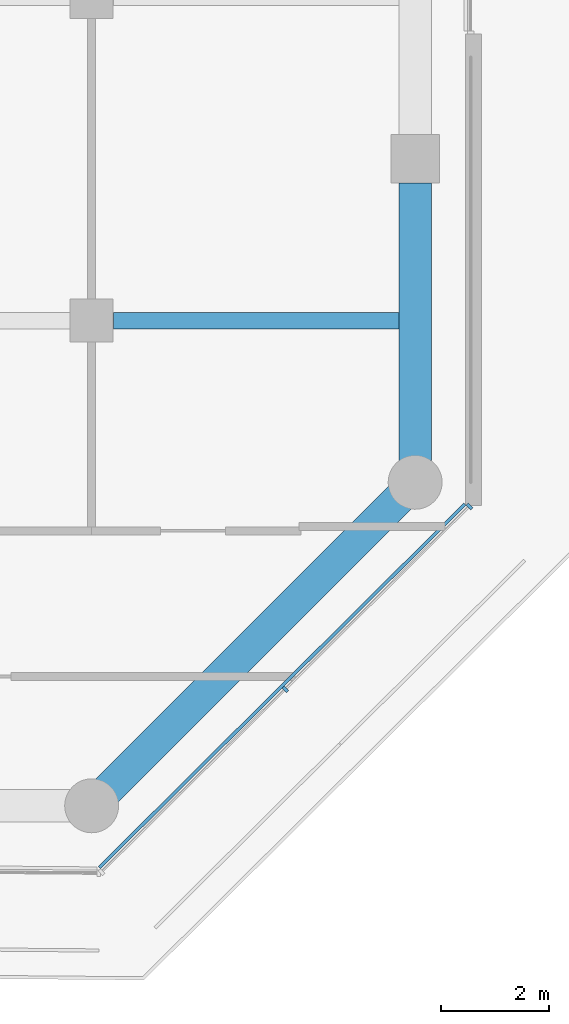
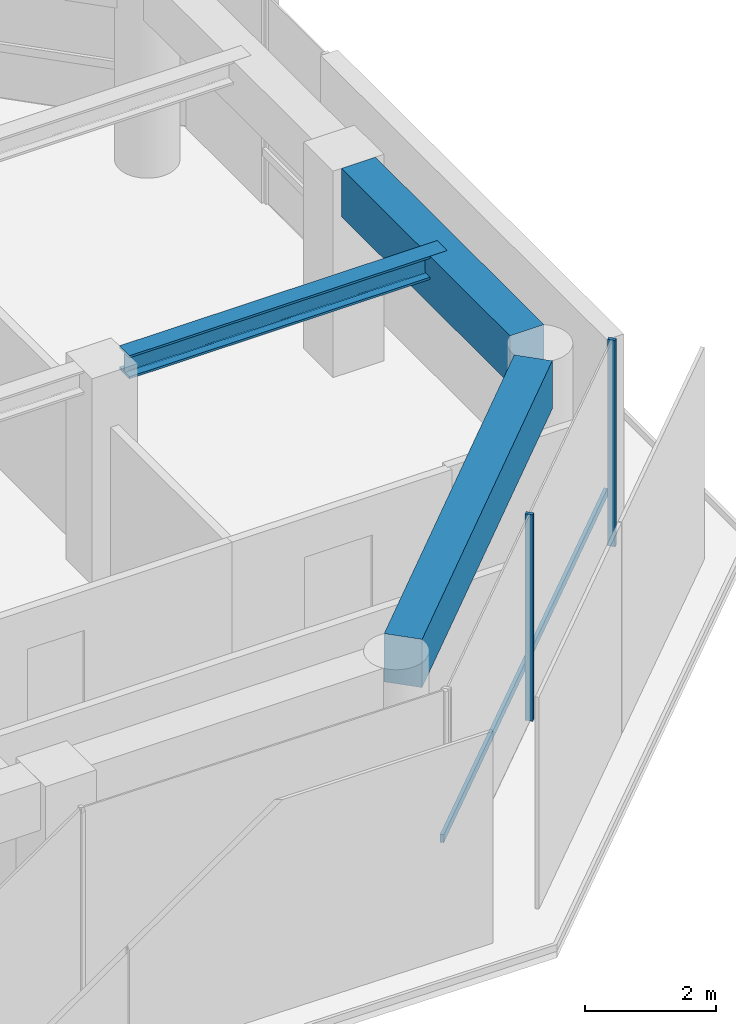
# One storey, part 7 of 23: 3 beams, 3 members, 1 element without a shape of its own.
"""IFC4 building model written with IfcOpenShell, lengths in metres."""

import ifcopenshell
import ifcopenshell.guid

model = None  # the IFC model being written
_history = None  # IfcOwnerHistory: only IFC2X3 demands one
_inside = {}  # id of a spatial element -> (the spatial element, [elements in it])
_under = {}  # id of a project, library or spatial element -> (it, [spatial elements below it])
_declared = {}  # id of a project -> (the project, [libraries it declares])
_typed = {}  # id of a type object -> (the type object, [elements of that type])
_made_of = {}  # id of a material, layer set ... -> (it, [elements and type objects made of it])


def new_model(schema):
    """Start an empty IFC model of exactly this schema.

    Asked for "IFC4X3", IfcOpenShell would pick the latest addendum, in which some entities
    have other attributes; the version numbers below select the first issue.
    IFC2X3 requires an IfcOwnerHistory on every rooted entity: one is made here for all.
    """
    global model, _history
    if schema == "IFC4X3":
        model = ifcopenshell.file(schema_version=(4, 3, 0, 0))
    else:
        model = ifcopenshell.file(schema=schema)
    _inside.clear()
    _under.clear()
    _declared.clear()
    _typed.clear()
    _made_of.clear()
    _history = None
    if model.schema == "IFC2X3":
        org = make("IfcOrganization", Name="unknown")
        user = make(
            "IfcPersonAndOrganization",
            ThePerson=make("IfcPerson", FamilyName="unknown"),
            TheOrganization=org,
        )
        app = make(
            "IfcApplication",
            ApplicationDeveloper=org,
            Version="unknown",
            ApplicationFullName="unknown",
            ApplicationIdentifier="unknown",
        )
        _history = make(
            "IfcOwnerHistory",
            OwningUser=user,
            OwningApplication=app,
            ChangeAction="ADDED",
            CreationDate=0,
        )
    return model


def make(cls, **values):
    """One entity of the class cls with the attributes given. An attribute that is None is left unset."""
    return model.create_entity(
        cls, **{name: value for name, value in values.items() if value is not None}
    )


def rooted(cls, **values):
    """An entity with a GlobalId (a new one), such as an element, a storey or a relation."""
    return make(cls, GlobalId=ifcopenshell.guid.new(), OwnerHistory=_history, **values)


def si_unit(unit_type, name, prefix=None):
    """IfcSIUnit, for example si_unit("LENGTHUNIT", "METRE", prefix="MILLI")."""
    return make("IfcSIUnit", UnitType=unit_type, Prefix=prefix, Name=name)


def assignment(units):
    """IfcUnitAssignment: the units of a project."""
    return None if units is None else make("IfcUnitAssignment", Units=units)


def point(xyz):
    """IfcCartesianPoint."""
    return None if xyz is None else make("IfcCartesianPoint", Coordinates=xyz)


def direction(xyz):
    """IfcDirection."""
    return None if xyz is None else make("IfcDirection", DirectionRatios=xyz)


def frame(location, z_axis=None, x_axis=None):
    """IfcAxis2Placement3D, a coordinate frame: its origin and axes. An axis left out is left unset."""
    return make(
        "IfcAxis2Placement3D",
        Location=point(location),
        Axis=direction(z_axis),
        RefDirection=direction(x_axis),
    )


def frame_2d(location, x_axis=None):
    """IfcAxis2Placement2D, a coordinate frame in the plane: its origin and x axis."""
    return make(
        "IfcAxis2Placement2D", Location=point(location), RefDirection=direction(x_axis)
    )


def origin():
    """The frame at (0, 0, 0) with its axes left unset."""
    return frame((0.0, 0.0, 0.0))


def origin_2d():
    """The frame at (0, 0) in the plane with its x axis left unset."""
    return frame_2d((0.0, 0.0))


def place(relative_to, where):
    """IfcLocalPlacement: puts the frame where relative to a parent placement (None: the world)."""
    return make(
        "IfcLocalPlacement", PlacementRelTo=relative_to, RelativePlacement=where
    )


def context(
    kind, dimensions, precision=None, world=None, true_north=None, identifier=None
):
    """IfcGeometricRepresentationContext, for example the 3D "Model" context."""
    return make(
        "IfcGeometricRepresentationContext",
        ContextIdentifier=identifier,
        ContextType=kind,
        CoordinateSpaceDimension=dimensions,
        Precision=precision,
        WorldCoordinateSystem=world,
        TrueNorth=true_north,
    )


def subcontext(parent, identifier, kind, view, scale=None):
    """IfcGeometricRepresentationSubContext, for example "Body" below "Model"."""
    return make(
        "IfcGeometricRepresentationSubContext",
        ContextIdentifier=identifier,
        ContextType=kind,
        ParentContext=parent,
        TargetScale=scale,
        TargetView=view,
    )


def project(units=None, contexts=None):
    """IfcProject with its units and contexts."""
    return rooted(
        "IfcProject",
        Name="project",
        RepresentationContexts=contexts,
        UnitsInContext=assignment(units),
    )


def spatial(cls, under=None, at=None, **own):
    """A site, building, storey or space (cls), placed at a placement, below another one or the project."""
    s = rooted(cls, ObjectPlacement=at, **own)
    if under is not None:
        _under.setdefault(under.id(), (under, []))[1].append(s)
    return s


def profile(cls, at=None, kind="AREA", **sizes):
    """A parametric profile (cls). Its sizes go by their IFC names, for example OverallWidth=200.0."""
    return make(cls, ProfileType=kind, Position=at, **sizes)


def rectangle(**sizes):
    """IfcRectangleProfileDef."""
    return profile("IfcRectangleProfileDef", **sizes)


def i_section(**sizes):
    """IfcIShapeProfileDef."""
    return profile("IfcIShapeProfileDef", **sizes)


def extrude(swept, where, along, depth):
    """IfcExtrudedAreaSolid: the profile swept, set in the frame where, extruded along a direction by depth."""
    return make(
        "IfcExtrudedAreaSolid",
        SweptArea=swept,
        Position=where,
        ExtrudedDirection=direction(along),
        Depth=depth,
    )


def shape(context_of_items, identifier, shape_type, items):
    """IfcShapeRepresentation: the items that make up one representation, for example the "Body"."""
    return make(
        "IfcShapeRepresentation",
        ContextOfItems=context_of_items,
        RepresentationIdentifier=identifier,
        RepresentationType=shape_type,
        Items=items,
    )


def material(Name=None, Category=None):
    """IfcMaterial."""
    return make("IfcMaterial", Name=Name, Category=Category)


def layer(
    of_material, thickness, ventilated=None, Name=None, Category=None, Priority=None
):
    """IfcMaterialLayer: one layer of a wall or slab, of a material (None: an air gap)."""
    return make(
        "IfcMaterialLayer",
        Material=of_material,
        LayerThickness=thickness,
        IsVentilated=ventilated,
        Name=Name,
        Category=Category,
        Priority=Priority,
    )


def layer_set(layers, Name=None):
    """IfcMaterialLayerSet."""
    return make("IfcMaterialLayerSet", MaterialLayers=layers, LayerSetName=Name)


def material_profile(
    of_material, cross_section, Name=None, Category=None, Priority=None
):
    """IfcMaterialProfile: a cross section and its material."""
    return make(
        "IfcMaterialProfile",
        Name=Name,
        Material=of_material,
        Profile=cross_section,
        Priority=Priority,
        Category=Category,
    )


def profile_set(profiles, Name=None, composite=None):
    """IfcMaterialProfileSet."""
    return make(
        "IfcMaterialProfileSet",
        Name=Name,
        MaterialProfiles=profiles,
        CompositeProfile=composite,
    )


def made_of(thing, what):
    """Note that an element or type object is made of a material, layer set ...; save() writes the relation."""
    if what is not None:
        _made_of.setdefault(what.id(), (what, []))[1].append(thing)
    return thing


def type_object(cls, material=None, **own):
    """A type object (cls), such as IfcWallType, which elements share."""
    return made_of(rooted(cls, **own), material)


def element(
    cls,
    number,
    at=None,
    inside=None,
    cuts=None,
    type_object=None,
    material=None,
    context=None,
    identifier="Body",
    shape_type=None,
    held_by="IfcProductDefinitionShape",
    body=None,
    shapes=None,
    **own,
):
    """One element of the class cls, such as IfcWall. Its Tag is "e" and its number.

    at: its placement. inside: the storey or other place that contains it. cuts: it is an
    opening in that element (IfcRelVoidsElement). A single representation is given by context,
    identifier, shape_type and body (its items); several are given by shapes. held_by: the class
    of the entity that holds the representations. save() writes the other relations.
    """
    e = rooted(cls, Tag="e%d" % number, ObjectPlacement=at, **own)
    if body is not None:
        shapes = [shape(context, identifier, shape_type, body)]
    if shapes is not None:
        e.Representation = make(held_by, Representations=shapes)
    if inside is not None:
        _inside.setdefault(inside.id(), (inside, []))[1].append(e)
    if cuts is not None:
        rooted(
            "IfcRelVoidsElement", RelatingBuildingElement=cuts, RelatedOpeningElement=e
        )
    if type_object is not None:
        _typed.setdefault(type_object.id(), (type_object, []))[1].append(e)
    return made_of(e, material)


def aggregate(whole, parts):
    """IfcRelAggregates: a whole, such as a stair, and the parts it consists of."""
    return rooted("IfcRelAggregates", RelatingObject=whole, RelatedObjects=parts)


def save(model, path):
    """Write the relations noted so far, then the file.

    IfcRelAggregates (storeys below a building ...), IfcRelContainedInSpatialStructure (elements
    in a storey), IfcRelDefinesByType, IfcRelAssociatesMaterial and IfcRelDeclares: one each for
    every whole, place, type object, material and project.
    """
    for whole, parts in _under.values():
        aggregate(whole, parts)
    for where, things in _inside.values():
        rooted(
            "IfcRelContainedInSpatialStructure",
            RelatedElements=things,
            RelatingStructure=where,
        )
    for kind, things in _typed.values():
        rooted("IfcRelDefinesByType", RelatedObjects=things, RelatingType=kind)
    for what, things in _made_of.values():
        rooted("IfcRelAssociatesMaterial", RelatedObjects=things, RelatingMaterial=what)
    for by, libraries in _declared.values():
        rooted("IfcRelDeclares", RelatingContext=by, RelatedDefinitions=libraries)
    model.write(path)


model = new_model("IFC4")

# Units and contexts
model_context = context("Model", 3, precision=1e-05, world=origin(), true_north=direction((0.0, 1.0)))
body_context = subcontext(model_context, "Body", "Model", "MODEL_VIEW")
ifc_project = project(units=[si_unit("LENGTHUNIT", "METRE"), si_unit("AREAUNIT", "SQUARE_METRE"), si_unit("VOLUMEUNIT", "CUBIC_METRE"), si_unit("PLANEANGLEUNIT", "RADIAN"), si_unit("MASSUNIT", "GRAM", prefix="KILO")], contexts=[model_context])

# Site, building, storey
site_placement = place(None, origin())
site = spatial("IfcSite", under=ifc_project, at=site_placement, CompositionType="ELEMENT")
building_placement = place(site_placement, origin())
building = spatial("IfcBuilding", under=site, at=building_placement, Name="Welwitschia Terrace Campus", CompositionType="ELEMENT")
storey_placement = place(building_placement, frame((0.0, 0.0, 113.0)))
storey = spatial("IfcBuildingStorey", under=building, at=storey_placement, Name="L25", CompositionType="ELEMENT", Elevation=113.0)

# Beam
ifc_material_1 = material(Name="Steel S355", Category="steel")
ifc_material_profile_1 = material_profile(ifc_material_1, i_section(OverallWidth=0.306884765625, OverallDepth=0.431884765625, WebThickness=0.02099609375, FlangeThickness=0.0400390625, FilletRadius=0.027099609375, at=origin_2d()))
ifc_profile_set_1 = profile_set([ifc_material_profile_1], Name="Steel S355")
beam_type_1 = type_object("IfcBeamType", Name="Interior girder HE 400 M", PredefinedType="BEAM", material=ifc_profile_set_1)
beam_1_placement = place(storey_placement, frame((48.400390625, 13.0, 3.634033203125), z_axis=(1.0, 0.0, 0.0), x_axis=(0.0, 1.0, 0.0)))
element("IfcBeam", 1, at=beam_1_placement, inside=storey, type_object=beam_type_1, Name="Girder GB3", PredefinedType="BEAM", context=body_context, shape_type="SweptSolid", body=[
    extrude(i_section(OverallWidth=0.306884765625, OverallDepth=0.431884765625, WebThickness=0.02099609375, FlangeThickness=0.0400390625, FilletRadius=0.027099609375, at=origin_2d()), origin(), (0.0, 0.0, 1.0), 5.609619140625),
])

# Curtain wall, members
ifc_material_2 = material(Name="Bronze anodised aluminium", Category="aluminium")
ifc_layer = layer(ifc_material_2, 0.1201171875)
ifc_layer_set = layer_set([ifc_layer], Name="Bronze anodised aluminium")
curtain_wall_type = type_object("IfcCurtainWallType", Name="Curtain wall CW2 tower 6000", PredefinedType="NOTDEFINED", material=ifc_layer_set)
curtain_wall_placement = place(storey_placement, origin())
curtain_wall = element("IfcCurtainWall", 2, at=curtain_wall_placement, inside=storey, type_object=curtain_wall_type, Name="CW L25.6.0", PredefinedType="NOTDEFINED")
ifc_material_3 = material(Name="Bronze anodised aluminium", Category="aluminium")
ifc_material_profile_2 = material_profile(ifc_material_3, rectangle(XDim=0.1201171875, YDim=0.06005859375, at=origin_2d()))
ifc_profile_set_2 = profile_set([ifc_material_profile_2], Name="Bronze anodised aluminium")
member_type_1 = type_object("IfcMemberType", Name="Mullion 60x120", PredefinedType="MULLION", material=ifc_profile_set_2)
member_1_placement = place(storey_placement, frame((51.595947265625, 6.159912109375, 0.0), z_axis=(0.0, 0.0, 1.0), x_axis=(-0.704985430024, 0.70922178721, 0.0)))
member_1 = element("IfcMember", 3, at=member_1_placement, type_object=member_type_1, Name="Mullion L25.6.0.1", PredefinedType="MULLION", context=body_context, shape_type="SweptSolid", body=[
    extrude(rectangle(XDim=0.1201171875, YDim=0.06005859375, at=origin_2d()), origin(), (0.0, 0.0, 1.0), 3.85009765625),
])
member_2_placement = place(storey_placement, frame((55.0087890625, 9.55224609375, 0.0), z_axis=(0.0, 0.0, 1.0), x_axis=(-0.704985430024, 0.70922178721, 0.0)))
member_2 = element("IfcMember", 4, at=member_2_placement, type_object=member_type_1, Name="Mullion L25.6.0.2", PredefinedType="MULLION", context=body_context, shape_type="SweptSolid", body=[
    extrude(rectangle(XDim=0.1201171875, YDim=0.06005859375, at=origin_2d()), origin(), (0.0, 0.0, 1.0), 3.85009765625),
])

# Beams
ifc_material_4 = material(Name="Concrete C60/75", Category="concrete")
ifc_material_profile_3 = material_profile(ifc_material_4, rectangle(XDim=0.60009765625, YDim=0.89990234375, at=origin_2d()))
ifc_profile_set_3 = profile_set([ifc_material_profile_3], Name="Concrete C60/75")
beam_type_2 = type_object("IfcBeamType", Name="Ring spandrel 600x900", PredefinedType="SPANDREL", material=ifc_profile_set_3)
beam_2_placement = place(storey_placement, frame((48.283203125, 4.283203125, 3.39990234375), z_axis=(0.707106781187, 0.707106781187, 0.0), x_axis=(-0.707106781187, 0.707106781187, 0.0)))
element("IfcBeam", 5, at=beam_2_placement, inside=storey, type_object=beam_type_2, Name="Spandrel SP2", PredefinedType="SPANDREL", context=body_context, shape_type="SweptSolid", body=[
    extrude(rectangle(XDim=0.60009765625, YDim=0.89990234375, at=origin_2d()), origin(), (0.0, 0.0, 1.0), 7.684326171875),
])
beam_3_placement = place(storey_placement, frame((54.0, 10.400390625, 3.39990234375), z_axis=(0.0, 1.0, 0.0), x_axis=(-1.0, 0.0, 0.0)))
element("IfcBeam", 6, at=beam_3_placement, inside=storey, type_object=beam_type_2, Name="Spandrel SP2", PredefinedType="SPANDREL", context=body_context, shape_type="SweptSolid", body=[
    extrude(rectangle(XDim=0.60009765625, YDim=0.89990234375, at=origin_2d()), origin(), (0.0, 0.0, 1.0), 5.149169921875),
])

# Member
ifc_material_5 = material(Name="Bronze anodised aluminium", Category="aluminium")
ifc_material_profile_4 = material_profile(ifc_material_5, rectangle(XDim=0.06005859375, YDim=0.14990234375, at=origin_2d()))
ifc_profile_set_4 = profile_set([ifc_material_profile_4], Name="Bronze anodised aluminium")
member_type_2 = type_object("IfcMemberType", Name="Transom 60x150", PredefinedType="USERDEFINED", material=ifc_profile_set_4)
member_3_placement = place(storey_placement, frame((48.14111328125, 2.8525390625, 1.0), z_axis=(0.709235128468, 0.704972008343, 0.0), x_axis=(-0.704972008343, 0.709235128468, 0.0)))
member_3 = element("IfcMember", 7, at=member_3_placement, type_object=member_type_2, Name="Transom L25.6.0", ObjectType="TRANSOM", PredefinedType="USERDEFINED", context=body_context, shape_type="SweptSolid", body=[
    extrude(rectangle(XDim=0.06005859375, YDim=0.14990234375, at=origin_2d()), origin(), (0.0, 0.0, 1.0), 9.563720703125),
])

aggregate(curtain_wall, [member_1, member_2, member_3])

save(model, "model.ifc")
